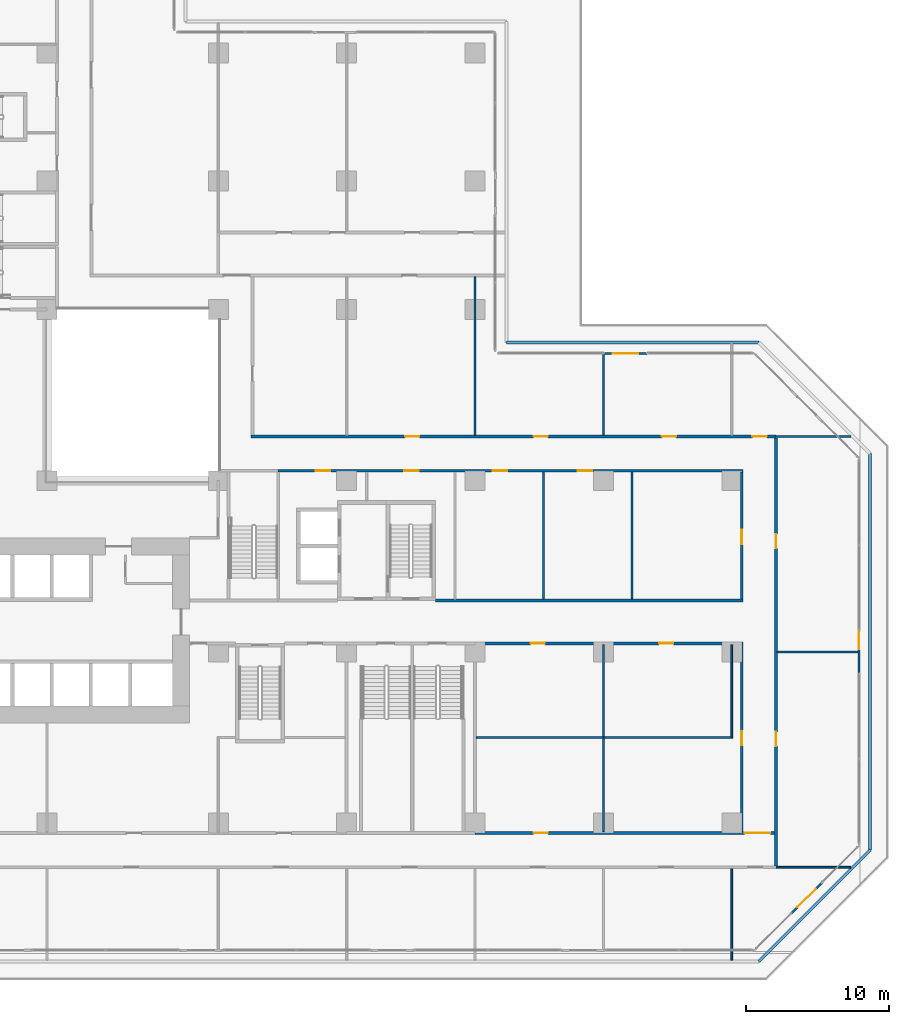
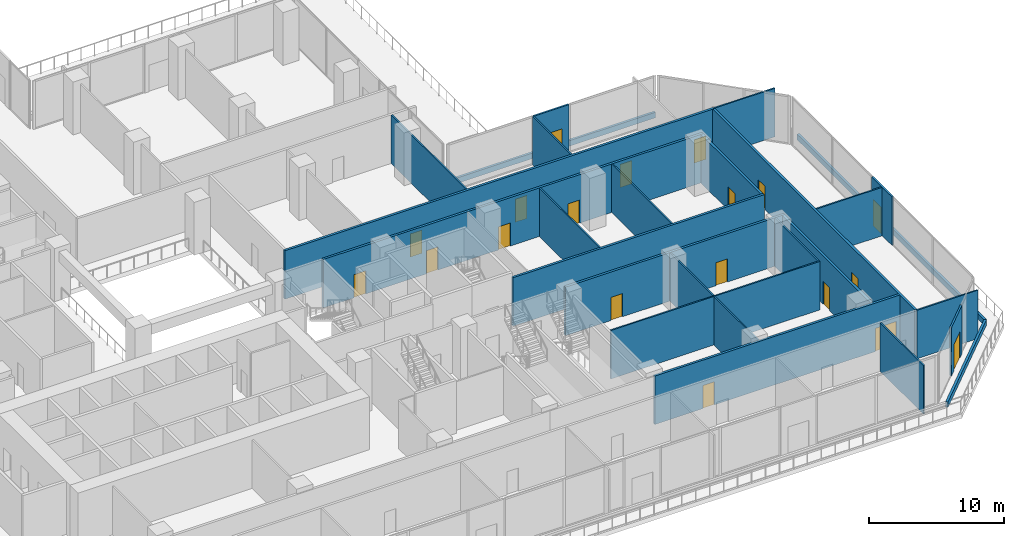
# One storey, part 17 of 26: 26 walls, 19 doors, 19 openings.
"""IFC4 building model written with IfcOpenShell, lengths in metres."""

from ifc_helpers import new_model, si_unit, direction, frame, frame_2d, origin, place, context, subcontext, project, spatial, rectangle, extrude, material, layer, layer_set, type_object, element, fill, save


model = new_model("IFC4")

# Units and contexts
model_context = context("Model", 3, precision=1e-05, world=origin(), true_north=direction((0.0, 1.0)))
body_context = subcontext(model_context, "Body", "Model", "MODEL_VIEW")
ifc_project = project(units=[si_unit("LENGTHUNIT", "METRE"), si_unit("AREAUNIT", "SQUARE_METRE"), si_unit("VOLUMEUNIT", "CUBIC_METRE"), si_unit("PLANEANGLEUNIT", "RADIAN"), si_unit("MASSUNIT", "GRAM", prefix="KILO")], contexts=[model_context])

# Site, building, storey
site_placement = place(None, origin())
site = spatial("IfcSite", under=ifc_project, at=site_placement, CompositionType="ELEMENT")
building_placement = place(site_placement, origin())
building = spatial("IfcBuilding", under=site, at=building_placement, Name="Chenar Terraces", CompositionType="ELEMENT")
storey_placement = place(building_placement, frame((0.0, 0.0, 16.800048828125)))
storey = spatial("IfcBuildingStorey", under=building, at=storey_placement, Name="L03", CompositionType="ELEMENT", Elevation=16.800048828125)

# Walls
ifc_material_1 = material(Name="Gypsum board on steel studs with mineral wool", Category="steel")
ifc_layer_1 = layer(ifc_material_1, 0.125)
ifc_layer_set_1 = layer_set([ifc_layer_1], Name="Gypsum board on steel studs with mineral wool")
wall_type_1 = type_object("IfcWallType", Name="Acoustic partition 125", PredefinedType="PARTITIONING", material=ifc_layer_set_1)
wall_1_placement = place(storey_placement, frame((54.0, 27.199951171875, 0.0), z_axis=(0.0, 0.0, 1.0), x_axis=(0.0, 1.0, 0.0)))
element("IfcWall", 1, at=wall_1_placement, inside=storey, type_object=wall_type_1, Name="Partition L03-105", PredefinedType="PARTITIONING", context=body_context, shape_type="SweptSolid", body=[
    extrude(rectangle(XDim=11.10009765625, YDim=0.125, at=frame_2d((5.550048828125, 0.0))), origin(), (0.0, 0.0, 1.0), 4.39990234375),
])
wall_2_placement = place(storey_placement, frame((54.10009765625, 6.0, 0.0), z_axis=(0.0, 0.0, 1.0), x_axis=(1.0, 0.0, 0.0)))
element("IfcWall", 2, at=wall_2_placement, inside=storey, type_object=wall_type_1, Name="Partition L03-106", PredefinedType="PARTITIONING", context=body_context, shape_type="SweptSolid", body=[
    extrude(rectangle(XDim=17.9619140625, YDim=0.125, at=frame_2d((8.98095703125, 0.0))), origin(), (0.0, 0.0, 1.0), 4.39990234375),
])
wall_3_placement = place(storey_placement, frame((58.800048828125, 15.699951171875, 0.0), z_axis=(0.0, 0.0, 1.0), x_axis=(0.0, 1.0, 0.0)))
element("IfcWall", 3, at=wall_3_placement, inside=storey, type_object=wall_type_1, Name="Partition L03-107", PredefinedType="PARTITIONING", context=body_context, shape_type="SweptSolid", body=[
    extrude(rectangle(XDim=8.900146484375, YDim=0.125, at=frame_2d((4.4501953125, 0.0))), origin(), (0.0, 0.0, 1.0), 4.39990234375),
])
wall_4_placement = place(storey_placement, frame((63.0, -0.60009765625, 0.0), z_axis=(0.0, 0.0, 1.0), x_axis=(0.0, 1.0, 0.0)))
element("IfcWall", 4, at=wall_4_placement, inside=storey, type_object=wall_type_1, Name="Partition L03-109", PredefinedType="PARTITIONING", context=body_context, shape_type="SweptSolid", body=[
    extrude(rectangle(XDim=6.5380859375, YDim=0.125, at=frame_2d((3.26904296875, 0.0))), origin(), (0.0, 0.0, 1.0), 4.39990234375),
])
wall_5_placement = place(storey_placement, frame((63.0, 6.06201171875, 0.0), z_axis=(0.0, 0.0, 1.0), x_axis=(0.0, 1.0, 0.0)))
element("IfcWall", 5, at=wall_5_placement, inside=storey, type_object=wall_type_1, Name="Partition L03-110", PredefinedType="PARTITIONING", context=body_context, shape_type="SweptSolid", body=[
    extrude(rectangle(XDim=6.43798828125, YDim=0.125, at=frame_2d((3.218994140625, 0.0))), origin(), (0.0, 0.0, 1.0), 4.39990234375),
])
wall_6_placement = place(storey_placement, frame((63.0, 27.199951171875, 0.0), z_axis=(0.0, 0.0, 1.0), x_axis=(0.0, 1.0, 0.0)))
element("IfcWall", 6, at=wall_6_placement, inside=storey, type_object=wall_type_1, Name="Partition L03-111", PredefinedType="PARTITIONING", context=body_context, shape_type="SweptSolid", body=[
    extrude(rectangle(XDim=5.72509765625, YDim=0.125, at=frame_2d((2.862548828125, 0.0))), origin(), (0.0, 0.0, 1.0), 4.39990234375),
])
wall_7_placement = place(storey_placement, frame((65.0, 15.699951171875, 0.0), z_axis=(0.0, 0.0, 1.0), x_axis=(0.0, 1.0, 0.0)))
element("IfcWall", 7, at=wall_7_placement, inside=storey, type_object=wall_type_1, Name="Partition L03-112", PredefinedType="PARTITIONING", context=body_context, shape_type="SweptSolid", body=[
    extrude(rectangle(XDim=8.900146484375, YDim=0.125, at=frame_2d((4.4501953125, 0.0))), origin(), (0.0, 0.0, 1.0), 4.39990234375),
])
wall_8_placement = place(storey_placement, frame((72.0, -9.60009765625, 0.0), z_axis=(0.0, 0.0, 1.0), x_axis=(0.0, 1.0, 0.0)))
element("IfcWall", 8, at=wall_8_placement, inside=storey, type_object=wall_type_1, Name="Partition L03-113", PredefinedType="PARTITIONING", context=body_context, shape_type="SweptSolid", body=[
    extrude(rectangle(XDim=6.400146484375, YDim=0.125, at=frame_2d((3.2001953125, 0.0))), origin(), (0.0, 0.0, 1.0), 4.39990234375),
])
wall_9_placement = place(storey_placement, frame((72.0, 6.06201171875, 0.0), z_axis=(0.0, 0.0, 1.0), x_axis=(0.0, 1.0, 0.0)))
element("IfcWall", 9, at=wall_9_placement, inside=storey, type_object=wall_type_1, Name="Partition L03-114", PredefinedType="PARTITIONING", context=body_context, shape_type="SweptSolid", body=[
    extrude(rectangle(XDim=6.43798828125, YDim=0.125, at=frame_2d((3.218994140625, 0.0))), origin(), (0.0, 0.0, 1.0), 4.39990234375),
])
for number, where, z_axis, x_axis, name in (
    (10, (75.10009765625, -3.10009765625, 0.0), (0.0, 0.0, 1.0), (1.0, 0.0, 0.0), "Partition L03-118"),
    (11, (75.10009765625, 27.10009765625, 0.0), (0.0, 0.0, 1.0), (1.0, 0.0, 0.0), "Partition L03-120"),
):
    element("IfcWall", number, at=place(storey_placement, frame(where, z_axis=z_axis, x_axis=x_axis)), inside=storey, type_object=wall_type_1, Name=name, PredefinedType="PARTITIONING", context=body_context, shape_type="SweptSolid", body=[
        extrude(rectangle(XDim=5.2548828125, YDim=0.125, at=frame_2d((2.62744140625, 0.0))), origin(), (0.0, 0.0, 1.0), 4.39990234375),
    ])
wall_10_placement = place(storey_placement, frame((75.199951171875, 12.0, 0.0), z_axis=(0.0, 0.0, 1.0), x_axis=(1.0, 0.0, 0.0)))
element("IfcWall", 12, at=wall_10_placement, inside=storey, type_object=wall_type_1, Name="Partition L03-121", PredefinedType="PARTITIONING", context=body_context, shape_type="SweptSolid", body=[
    extrude(rectangle(XDim=5.651123046875, YDim=0.125, at=frame_2d((2.82568359375, 0.0))), origin(), (0.0, 0.0, 1.0), 4.39990234375),
])

# Wall, openings, doors
ifc_material_2 = material(Name="Gypsum board on steel studs with fire boards", Category="steel")
ifc_layer_2 = layer(ifc_material_2, 0.199951171875)
ifc_layer_set_2 = layer_set([ifc_layer_2], Name="Gypsum board on steel studs with fire boards")
wall_type_2 = type_object("IfcWallType", Name="Corridor wall 200", PredefinedType="PARTITIONING", material=ifc_layer_set_2)
wall_11_placement = place(storey_placement, frame((38.300048828125, 27.10009765625, 0.0), z_axis=(0.0, 0.0, 1.0), x_axis=(1.0, 0.0, 0.0)))
wall_11 = element("IfcWall", 13, at=wall_11_placement, inside=storey, type_object=wall_type_2, Name="Partition L03-084", PredefinedType="PARTITIONING", context=body_context, shape_type="SweptSolid", body=[
    extrude(rectangle(XDim=36.800048828125, YDim=0.199951171875, at=frame_2d((18.39990234375, 0.0))), origin(), (0.0, 0.0, 1.0), 4.39990234375),
])
opening_1_placement = place(wall_11_placement, frame((10.800048828125, 0.0, 0.0)))
opening_1 = element("IfcOpeningElement", 14, at=opening_1_placement, cuts=wall_11, Name="Opening DL03-27", PredefinedType="OPENING", context=body_context, shape_type="SweptSolid", body=[
    extrude(rectangle(XDim=1.0, YDim=2.10009765625, at=frame_2d((0.5, 1.050048828125))), frame((0.0, 0.10986328125, 0.0), z_axis=(0.0, -1.0, 0.0), x_axis=(1.0, 0.0, 0.0)), (0.0, 0.0, 1.0), 0.219970703125),
])
opening_2_placement = place(wall_11_placement, frame((19.800048828125, 0.0, 0.0)))
opening_2 = element("IfcOpeningElement", 15, at=opening_2_placement, cuts=wall_11, Name="Opening DL03-29", PredefinedType="OPENING", context=body_context, shape_type="SweptSolid", body=[
    extrude(rectangle(XDim=1.0, YDim=2.10009765625, at=frame_2d((0.5, 1.050048828125))), frame((0.0, 0.10986328125, 0.0), z_axis=(0.0, -1.0, 0.0), x_axis=(1.0, 0.0, 0.0)), (0.0, 0.0, 1.0), 0.219970703125),
])
opening_3_placement = place(wall_11_placement, frame((28.800048828125, 0.0, 0.0)))
opening_3 = element("IfcOpeningElement", 16, at=opening_3_placement, cuts=wall_11, Name="Opening DL03-30", PredefinedType="OPENING", context=body_context, shape_type="SweptSolid", body=[
    extrude(rectangle(XDim=1.0, YDim=2.10009765625, at=frame_2d((0.5, 1.050048828125))), frame((0.0, 0.10986328125, 0.0), z_axis=(0.0, -1.0, 0.0), x_axis=(1.0, 0.0, 0.0)), (0.0, 0.0, 1.0), 0.219970703125),
])
opening_4_placement = place(wall_11_placement, frame((35.14990234375, 0.0, 0.0)))
opening_4 = element("IfcOpeningElement", 17, at=opening_4_placement, cuts=wall_11, Name="Opening DL03-31", PredefinedType="OPENING", context=body_context, shape_type="SweptSolid", body=[
    extrude(rectangle(XDim=1.0, YDim=2.10009765625, at=frame_2d((0.5, 1.050048828125))), frame((0.0, 0.10986328125, 0.0), z_axis=(0.0, -1.0, 0.0), x_axis=(1.0, 0.0, 0.0)), (0.0, 0.0, 1.0), 0.219970703125),
])
ifc_material_3 = material(Name="Steel-framed fire-resisting door leaf", Category="steel")
door_type_1 = type_object("IfcDoorType", Name="Fire door FD60 1000 x 2100", OperationType="SINGLE_SWING_LEFT", PredefinedType="DOOR", material=ifc_material_3)
door_1_placement = place(opening_1_placement, origin())
door_1 = element("IfcDoor", 18, at=door_1_placement, inside=storey, type_object=door_type_1, Name="Door DL03-27", OperationType="SINGLE_SWING_RIGHT", OverallHeight=2.10009765625, OverallWidth=1.0, PredefinedType="DOOR", context=body_context, shape_type="SweptSolid", body=[
    extrude(rectangle(XDim=1.0, YDim=2.10009765625, at=frame_2d((0.5, 1.050048828125))), frame((0.0, 0.02490234375, 0.0), z_axis=(0.0, -1.0, 0.0), x_axis=(1.0, 0.0, 0.0)), (0.0, 0.0, 1.0), 0.050048828125),
])
fill(opening_1, door_1)
door_2_placement = place(opening_2_placement, origin())
door_2 = element("IfcDoor", 19, at=door_2_placement, inside=storey, type_object=door_type_1, Name="Door DL03-29", OperationType="SINGLE_SWING_RIGHT", OverallHeight=2.10009765625, OverallWidth=1.0, PredefinedType="DOOR", context=body_context, shape_type="SweptSolid", body=[
    extrude(rectangle(XDim=1.0, YDim=2.10009765625, at=frame_2d((0.5, 1.050048828125))), frame((0.0, 0.02490234375, 0.0), z_axis=(0.0, -1.0, 0.0), x_axis=(1.0, 0.0, 0.0)), (0.0, 0.0, 1.0), 0.050048828125),
])
fill(opening_2, door_2)
door_3_placement = place(opening_3_placement, origin())
door_3 = element("IfcDoor", 20, at=door_3_placement, inside=storey, type_object=door_type_1, Name="Door DL03-30", OperationType="SINGLE_SWING_RIGHT", OverallHeight=2.10009765625, OverallWidth=1.0, PredefinedType="DOOR", context=body_context, shape_type="SweptSolid", body=[
    extrude(rectangle(XDim=1.0, YDim=2.10009765625, at=frame_2d((0.5, 1.050048828125))), frame((0.0, 0.02490234375, 0.0), z_axis=(0.0, -1.0, 0.0), x_axis=(1.0, 0.0, 0.0)), (0.0, 0.0, 1.0), 0.050048828125),
])
fill(opening_3, door_3)
door_4_placement = place(opening_4_placement, origin())
door_4 = element("IfcDoor", 21, at=door_4_placement, inside=storey, type_object=door_type_1, Name="Door DL03-31", OperationType="SINGLE_SWING_LEFT", OverallHeight=2.10009765625, OverallWidth=1.0, PredefinedType="DOOR", context=body_context, shape_type="SweptSolid", body=[
    extrude(rectangle(XDim=1.0, YDim=2.10009765625, at=frame_2d((0.5, 1.050048828125))), frame((0.0, 0.02490234375, 0.0), z_axis=(0.0, -1.0, 0.0), x_axis=(1.0, 0.0, 0.0)), (0.0, 0.0, 1.0), 0.050048828125),
])
fill(opening_4, door_4)

wall_12_placement = place(storey_placement, frame((40.199951171875, 24.699951171875, 0.0), z_axis=(0.0, 0.0, 1.0), x_axis=(1.0, 0.0, 0.0)))
wall_12 = element("IfcWall", 22, at=wall_12_placement, inside=storey, type_object=wall_type_2, Name="Partition L03-088", PredefinedType="PARTITIONING", context=body_context, shape_type="SweptSolid", body=[
    extrude(rectangle(XDim=32.60009765625, YDim=0.199951171875, at=frame_2d((16.300048828125, 0.0))), origin(), (0.0, 0.0, 1.0), 4.39990234375),
])
opening_5_placement = place(wall_12_placement, frame((2.64990234375, 0.0, 0.0)))
opening_5 = element("IfcOpeningElement", 23, at=opening_5_placement, cuts=wall_12, Name="Opening DL03-4", PredefinedType="OPENING", context=body_context, shape_type="SweptSolid", body=[
    extrude(rectangle(XDim=1.0, YDim=2.10009765625, at=frame_2d((0.5, 1.050048828125))), frame((0.0, 0.10986328125, 0.0), z_axis=(0.0, -1.0, 0.0), x_axis=(1.0, 0.0, 0.0)), (0.0, 0.0, 1.0), 0.219970703125),
])
opening_6_placement = place(wall_12_placement, frame((8.85009765625, 0.0, 0.0)))
opening_6 = element("IfcOpeningElement", 24, at=opening_6_placement, cuts=wall_12, Name="Opening DL03-5", PredefinedType="OPENING", context=body_context, shape_type="SweptSolid", body=[
    extrude(rectangle(XDim=1.0, YDim=2.10009765625, at=frame_2d((0.5, 1.050048828125))), frame((0.0, 0.10986328125, 0.0), z_axis=(0.0, -1.0, 0.0), x_axis=(1.0, 0.0, 0.0)), (0.0, 0.0, 1.0), 0.219970703125),
])
opening_7_placement = place(wall_12_placement, frame((15.050048828125, 0.0, 0.0)))
opening_7 = element("IfcOpeningElement", 25, at=opening_7_placement, cuts=wall_12, Name="Opening DL03-6", PredefinedType="OPENING", context=body_context, shape_type="SweptSolid", body=[
    extrude(rectangle(XDim=1.0, YDim=2.10009765625, at=frame_2d((0.5, 1.050048828125))), frame((0.0, 0.10986328125, 0.0), z_axis=(0.0, -1.0, 0.0), x_axis=(1.0, 0.0, 0.0)), (0.0, 0.0, 1.0), 0.219970703125),
])
opening_8_placement = place(wall_12_placement, frame((21.0, 0.0, 0.0)))
opening_8 = element("IfcOpeningElement", 26, at=opening_8_placement, cuts=wall_12, Name="Opening DL03-7", PredefinedType="OPENING", context=body_context, shape_type="SweptSolid", body=[
    extrude(rectangle(XDim=1.0, YDim=2.10009765625, at=frame_2d((0.5, 1.050048828125))), frame((0.0, 0.10986328125, 0.0), z_axis=(0.0, -1.0, 0.0), x_axis=(1.0, 0.0, 0.0)), (0.0, 0.0, 1.0), 0.219970703125),
])
door_5_placement = place(opening_5_placement, frame((1.0, 0.0, 0.0), z_axis=(0.0, 0.0, 1.0), x_axis=(-1.0, 0.0, 0.0)))
door_5 = element("IfcDoor", 27, at=door_5_placement, inside=storey, type_object=door_type_1, Name="Door DL03-4", OperationType="SINGLE_SWING_LEFT", OverallHeight=2.10009765625, OverallWidth=1.0, PredefinedType="DOOR", context=body_context, shape_type="SweptSolid", body=[
    extrude(rectangle(XDim=1.0, YDim=2.10009765625, at=frame_2d((0.5, 1.050048828125))), frame((0.0, 0.02490234375, 0.0), z_axis=(0.0, -1.0, 0.0), x_axis=(1.0, 0.0, 0.0)), (0.0, 0.0, 1.0), 0.050048828125),
])
fill(opening_5, door_5)
door_6_placement = place(opening_6_placement, frame((1.0, 0.0, 0.0), z_axis=(0.0, 0.0, 1.0), x_axis=(-1.0, 0.0, 0.0)))
door_6 = element("IfcDoor", 28, at=door_6_placement, inside=storey, type_object=door_type_1, Name="Door DL03-5", OperationType="SINGLE_SWING_LEFT", OverallHeight=2.10009765625, OverallWidth=1.0, PredefinedType="DOOR", context=body_context, shape_type="SweptSolid", body=[
    extrude(rectangle(XDim=1.0, YDim=2.10009765625, at=frame_2d((0.5, 1.050048828125))), frame((0.0, 0.02490234375, 0.0), z_axis=(0.0, -1.0, 0.0), x_axis=(1.0, 0.0, 0.0)), (0.0, 0.0, 1.0), 0.050048828125),
])
fill(opening_6, door_6)
door_7_placement = place(opening_7_placement, frame((1.0, 0.0, 0.0), z_axis=(0.0, 0.0, 1.0), x_axis=(-1.0, 0.0, 0.0)))
door_7 = element("IfcDoor", 29, at=door_7_placement, inside=storey, type_object=door_type_1, Name="Door DL03-6", OperationType="SINGLE_SWING_RIGHT", OverallHeight=2.10009765625, OverallWidth=1.0, PredefinedType="DOOR", context=body_context, shape_type="SweptSolid", body=[
    extrude(rectangle(XDim=1.0, YDim=2.10009765625, at=frame_2d((0.5, 1.050048828125))), frame((0.0, 0.02490234375, 0.0), z_axis=(0.0, -1.0, 0.0), x_axis=(1.0, 0.0, 0.0)), (0.0, 0.0, 1.0), 0.050048828125),
])
fill(opening_7, door_7)
door_8_placement = place(opening_8_placement, frame((1.0, 0.0, 0.0), z_axis=(0.0, 0.0, 1.0), x_axis=(-1.0, 0.0, 0.0)))
door_8 = element("IfcDoor", 30, at=door_8_placement, inside=storey, type_object=door_type_1, Name="Door DL03-7", OperationType="SINGLE_SWING_LEFT", OverallHeight=2.10009765625, OverallWidth=1.0, PredefinedType="DOOR", context=body_context, shape_type="SweptSolid", body=[
    extrude(rectangle(XDim=1.0, YDim=2.10009765625, at=frame_2d((0.5, 1.050048828125))), frame((0.0, 0.02490234375, 0.0), z_axis=(0.0, -1.0, 0.0), x_axis=(1.0, 0.0, 0.0)), (0.0, 0.0, 1.0), 0.050048828125),
])
fill(opening_8, door_8)

# Wall
wall_13_placement = place(storey_placement, frame((51.22509765625, 15.60009765625, 0.0), z_axis=(0.0, 0.0, 1.0), x_axis=(1.0, 0.0, 0.0)))
element("IfcWall", 31, at=wall_13_placement, inside=storey, type_object=wall_type_2, Name="Partition L03-099", PredefinedType="PARTITIONING", context=body_context, shape_type="SweptSolid", body=[
    extrude(rectangle(XDim=21.574951171875, YDim=0.199951171875, at=frame_2d((10.78759765625, 0.0))), origin(), (0.0, 0.0, 1.0), 4.39990234375),
])

# Wall, openings, doors
wall_14_placement = place(storey_placement, frame((54.0, -0.699951171875, 0.0), z_axis=(0.0, 0.0, 1.0), x_axis=(1.0, 0.0, 0.0)))
wall_14 = element("IfcWall", 32, at=wall_14_placement, inside=storey, type_object=wall_type_2, Name="Partition L03-102", PredefinedType="PARTITIONING", context=body_context, shape_type="SweptSolid", body=[
    extrude(rectangle(XDim=21.0, YDim=0.199951171875, at=frame_2d((10.5, 0.0))), origin(), (0.0, 0.0, 1.0), 4.39990234375),
])
opening_9_placement = place(wall_14_placement, frame((4.10009765625, 0.0, 0.0)))
opening_9 = element("IfcOpeningElement", 33, at=opening_9_placement, cuts=wall_14, Name="Opening DL03-10", PredefinedType="OPENING", context=body_context, shape_type="SweptSolid", body=[
    extrude(rectangle(XDim=1.0, YDim=2.10009765625, at=frame_2d((0.5, 1.050048828125))), frame((0.0, 0.10986328125, 0.0), z_axis=(0.0, -1.0, 0.0), x_axis=(1.0, 0.0, 0.0)), (0.0, 0.0, 1.0), 0.219970703125),
])
opening_10_placement = place(wall_14_placement, frame((18.89990234375, 0.0, 0.0)))
opening_10 = element("IfcOpeningElement", 34, at=opening_10_placement, cuts=wall_14, Name="Opening DL03-36", PredefinedType="OPENING", context=body_context, shape_type="SweptSolid", body=[
    extrude(rectangle(XDim=1.800048828125, YDim=2.10009765625, at=frame_2d((0.89990234375, 1.050048828125))), frame((0.0, 0.10986328125, 0.0), z_axis=(0.0, -1.0, 0.0), x_axis=(1.0, 0.0, 0.0)), (0.0, 0.0, 1.0), 0.219970703125),
])
door_9_placement = place(opening_9_placement, origin())
door_9 = element("IfcDoor", 35, at=door_9_placement, inside=storey, type_object=door_type_1, Name="Door DL03-10", OperationType="SINGLE_SWING_LEFT", OverallHeight=2.10009765625, OverallWidth=1.0, PredefinedType="DOOR", context=body_context, shape_type="SweptSolid", body=[
    extrude(rectangle(XDim=1.0, YDim=2.10009765625, at=frame_2d((0.5, 1.050048828125))), frame((0.0, 0.02490234375, 0.0), z_axis=(0.0, -1.0, 0.0), x_axis=(1.0, 0.0, 0.0)), (0.0, 0.0, 1.0), 0.050048828125),
])
fill(opening_9, door_9)
ifc_material_4 = material(Name="Steel-framed fire-resisting door leaf", Category="steel")
door_type_2 = type_object("IfcDoorType", Name="Fire double door FD60 1800 x 2100", OperationType="DOUBLE_DOOR_SINGLE_SWING", PredefinedType="DOOR", material=ifc_material_4)
door_10_placement = place(opening_10_placement, frame((1.800048828125, 0.0, 0.0), z_axis=(0.0, 0.0, 1.0), x_axis=(-1.0, 0.0, 0.0)))
door_10 = element("IfcDoor", 36, at=door_10_placement, inside=storey, type_object=door_type_2, Name="Door DL03-36", OperationType="DOUBLE_DOOR_SINGLE_SWING", OverallHeight=2.10009765625, OverallWidth=1.800048828125, PredefinedType="DOOR", context=body_context, shape_type="SweptSolid", body=[
    extrude(rectangle(XDim=1.800048828125, YDim=2.10009765625, at=frame_2d((0.89990234375, 1.050048828125))), frame((0.0, 0.02490234375, 0.0), z_axis=(0.0, -1.0, 0.0), x_axis=(1.0, 0.0, 0.0)), (0.0, 0.0, 1.0), 0.050048828125),
])
fill(opening_10, door_10)

wall_15_placement = place(storey_placement, frame((54.0, 12.60009765625, 0.0), z_axis=(0.0, 0.0, 1.0), x_axis=(1.0, 0.0, 0.0)))
wall_15 = element("IfcWall", 37, at=wall_15_placement, inside=storey, type_object=wall_type_2, Name="Partition L03-104", PredefinedType="PARTITIONING", context=body_context, shape_type="SweptSolid", body=[
    extrude(rectangle(XDim=18.800048828125, YDim=0.199951171875, at=frame_2d((9.39990234375, 0.0))), origin(), (0.0, 0.0, 1.0), 4.39990234375),
])
opening_11_placement = place(wall_15_placement, frame((3.89990234375, 0.0, 0.0)))
opening_11 = element("IfcOpeningElement", 38, at=opening_11_placement, cuts=wall_15, Name="Opening DL03-2", PredefinedType="OPENING", context=body_context, shape_type="SweptSolid", body=[
    extrude(rectangle(XDim=1.0, YDim=2.10009765625, at=frame_2d((0.5, 1.050048828125))), frame((0.0, 0.10986328125, 0.0), z_axis=(0.0, -1.0, 0.0), x_axis=(1.0, 0.0, 0.0)), (0.0, 0.0, 1.0), 0.219970703125),
])
opening_12_placement = place(wall_15_placement, frame((12.89990234375, 0.0, 0.0)))
opening_12 = element("IfcOpeningElement", 39, at=opening_12_placement, cuts=wall_15, Name="Opening DL03-3", PredefinedType="OPENING", context=body_context, shape_type="SweptSolid", body=[
    extrude(rectangle(XDim=1.0, YDim=2.10009765625, at=frame_2d((0.5, 1.050048828125))), frame((0.0, 0.10986328125, 0.0), z_axis=(0.0, -1.0, 0.0), x_axis=(1.0, 0.0, 0.0)), (0.0, 0.0, 1.0), 0.219970703125),
])
door_11_placement = place(opening_11_placement, frame((1.0, 0.0, 0.0), z_axis=(0.0, 0.0, 1.0), x_axis=(-1.0, 0.0, 0.0)))
door_11 = element("IfcDoor", 40, at=door_11_placement, inside=storey, type_object=door_type_1, Name="Door DL03-2", OperationType="SINGLE_SWING_RIGHT", OverallHeight=2.10009765625, OverallWidth=1.0, PredefinedType="DOOR", context=body_context, shape_type="SweptSolid", body=[
    extrude(rectangle(XDim=1.0, YDim=2.10009765625, at=frame_2d((0.5, 1.050048828125))), frame((0.0, 0.02490234375, 0.0), z_axis=(0.0, -1.0, 0.0), x_axis=(1.0, 0.0, 0.0)), (0.0, 0.0, 1.0), 0.050048828125),
])
fill(opening_11, door_11)
door_12_placement = place(opening_12_placement, frame((1.0, 0.0, 0.0), z_axis=(0.0, 0.0, 1.0), x_axis=(-1.0, 0.0, 0.0)))
door_12 = element("IfcDoor", 41, at=door_12_placement, inside=storey, type_object=door_type_1, Name="Door DL03-3", OperationType="SINGLE_SWING_RIGHT", OverallHeight=2.10009765625, OverallWidth=1.0, PredefinedType="DOOR", context=body_context, shape_type="SweptSolid", body=[
    extrude(rectangle(XDim=1.0, YDim=2.10009765625, at=frame_2d((0.5, 1.050048828125))), frame((0.0, 0.02490234375, 0.0), z_axis=(0.0, -1.0, 0.0), x_axis=(1.0, 0.0, 0.0)), (0.0, 0.0, 1.0), 0.050048828125),
])
fill(opening_12, door_12)

# Wall, opening, door
wall_16_placement = place(storey_placement, frame((72.699951171875, -0.60009765625, 0.0), z_axis=(0.0, 0.0, 1.0), x_axis=(0.0, 1.0, 0.0)))
wall_16 = element("IfcWall", 42, at=wall_16_placement, inside=storey, type_object=wall_type_2, Name="Partition L03-116", PredefinedType="PARTITIONING", context=body_context, shape_type="SweptSolid", body=[
    extrude(rectangle(XDim=13.10009765625, YDim=0.199951171875, at=frame_2d((6.550048828125, 0.0))), origin(), (0.0, 0.0, 1.0), 4.39990234375),
])
opening_13_placement = place(wall_16_placement, frame((6.050048828125, 0.0, 0.0)))
opening_13 = element("IfcOpeningElement", 43, at=opening_13_placement, cuts=wall_16, Name="Opening DL03-11", PredefinedType="OPENING", context=body_context, shape_type="SweptSolid", body=[
    extrude(rectangle(XDim=1.0, YDim=2.10009765625, at=frame_2d((0.5, 1.050048828125))), frame((0.0, 0.10986328125, 0.0), z_axis=(0.0, -1.0, 0.0), x_axis=(1.0, 0.0, 0.0)), (0.0, 0.0, 1.0), 0.219970703125),
])
door_13_placement = place(opening_13_placement, frame((1.0, 0.0, 0.0), z_axis=(0.0, 0.0, 1.0), x_axis=(-1.0, 0.0, 0.0)))
door_13 = element("IfcDoor", 44, at=door_13_placement, inside=storey, type_object=door_type_1, Name="Door DL03-11", OperationType="SINGLE_SWING_LEFT", OverallHeight=2.10009765625, OverallWidth=1.0, PredefinedType="DOOR", context=body_context, shape_type="SweptSolid", body=[
    extrude(rectangle(XDim=1.0, YDim=2.10009765625, at=frame_2d((0.5, 1.050048828125))), frame((0.0, 0.02490234375, 0.0), z_axis=(0.0, -1.0, 0.0), x_axis=(1.0, 0.0, 0.0)), (0.0, 0.0, 1.0), 0.050048828125),
])
fill(opening_13, door_13)

wall_17_placement = place(storey_placement, frame((72.699951171875, 15.699951171875, 0.0), z_axis=(0.0, 0.0, 1.0), x_axis=(0.0, 1.0, 0.0)))
wall_17 = element("IfcWall", 45, at=wall_17_placement, inside=storey, type_object=wall_type_2, Name="Partition L03-117", PredefinedType="PARTITIONING", context=body_context, shape_type="SweptSolid", body=[
    extrude(rectangle(XDim=8.900146484375, YDim=0.199951171875, at=frame_2d((4.4501953125, 0.0))), origin(), (0.0, 0.0, 1.0), 4.39990234375),
])
opening_14_placement = place(wall_17_placement, frame((3.85009765625, 0.0, 0.0)))
opening_14 = element("IfcOpeningElement", 46, at=opening_14_placement, cuts=wall_17, Name="Opening DL03-8", PredefinedType="OPENING", context=body_context, shape_type="SweptSolid", body=[
    extrude(rectangle(XDim=1.0, YDim=2.10009765625, at=frame_2d((0.5, 1.050048828125))), frame((0.0, 0.10986328125, 0.0), z_axis=(0.0, -1.0, 0.0), x_axis=(1.0, 0.0, 0.0)), (0.0, 0.0, 1.0), 0.219970703125),
])
door_14_placement = place(opening_14_placement, origin())
door_14 = element("IfcDoor", 47, at=door_14_placement, inside=storey, type_object=door_type_1, Name="Door DL03-8", OperationType="SINGLE_SWING_RIGHT", OverallHeight=2.10009765625, OverallWidth=1.0, PredefinedType="DOOR", context=body_context, shape_type="SweptSolid", body=[
    extrude(rectangle(XDim=1.0, YDim=2.10009765625, at=frame_2d((0.5, 1.050048828125))), frame((0.0, 0.02490234375, 0.0), z_axis=(0.0, -1.0, 0.0), x_axis=(1.0, 0.0, 0.0)), (0.0, 0.0, 1.0), 0.050048828125),
])
fill(opening_14, door_14)

# Wall, openings, doors
wall_18_placement = place(storey_placement, frame((75.10009765625, -3.0, 0.0), z_axis=(0.0, 0.0, 1.0), x_axis=(0.0, 1.0, 0.0)))
wall_18 = element("IfcWall", 48, at=wall_18_placement, inside=storey, type_object=wall_type_2, Name="Partition L03-119", PredefinedType="PARTITIONING", context=body_context, shape_type="SweptSolid", body=[
    extrude(rectangle(XDim=30.0, YDim=0.199951171875, at=frame_2d((15.0, 0.0))), origin(), (0.0, 0.0, 1.0), 4.39990234375),
])
opening_15_placement = place(wall_18_placement, frame((8.39990234375, 0.0, 0.0)))
opening_15 = element("IfcOpeningElement", 49, at=opening_15_placement, cuts=wall_18, Name="Opening DL03-45", PredefinedType="OPENING", context=body_context, shape_type="SweptSolid", body=[
    extrude(rectangle(XDim=1.0, YDim=2.10009765625, at=frame_2d((0.5, 1.050048828125))), frame((0.0, 0.10986328125, 0.0), z_axis=(0.0, -1.0, 0.0), x_axis=(1.0, 0.0, 0.0)), (0.0, 0.0, 1.0), 0.219970703125),
])
opening_16_placement = place(wall_18_placement, frame((22.25, 0.0, 0.0)))
opening_16 = element("IfcOpeningElement", 50, at=opening_16_placement, cuts=wall_18, Name="Opening DL03-46", PredefinedType="OPENING", context=body_context, shape_type="SweptSolid", body=[
    extrude(rectangle(XDim=1.0, YDim=2.10009765625, at=frame_2d((0.5, 1.050048828125))), frame((0.0, 0.10986328125, 0.0), z_axis=(0.0, -1.0, 0.0), x_axis=(1.0, 0.0, 0.0)), (0.0, 0.0, 1.0), 0.219970703125),
])
door_15_placement = place(opening_15_placement, frame((1.0, 0.0, 0.0), z_axis=(0.0, 0.0, 1.0), x_axis=(-1.0, 0.0, 0.0)))
door_15 = element("IfcDoor", 51, at=door_15_placement, inside=storey, type_object=door_type_1, Name="Door DL03-45", OperationType="SINGLE_SWING_LEFT", OverallHeight=2.10009765625, OverallWidth=1.0, PredefinedType="DOOR", context=body_context, shape_type="SweptSolid", body=[
    extrude(rectangle(XDim=1.0, YDim=2.10009765625, at=frame_2d((0.5, 1.050048828125))), frame((0.0, 0.02490234375, 0.0), z_axis=(0.0, -1.0, 0.0), x_axis=(1.0, 0.0, 0.0)), (0.0, 0.0, 1.0), 0.050048828125),
])
fill(opening_15, door_15)
door_16_placement = place(opening_16_placement, frame((1.0, 0.0, 0.0), z_axis=(0.0, 0.0, 1.0), x_axis=(-1.0, 0.0, 0.0)))
door_16 = element("IfcDoor", 52, at=door_16_placement, inside=storey, type_object=door_type_1, Name="Door DL03-46", OperationType="SINGLE_SWING_LEFT", OverallHeight=2.10009765625, OverallWidth=1.0, PredefinedType="DOOR", context=body_context, shape_type="SweptSolid", body=[
    extrude(rectangle(XDim=1.0, YDim=2.10009765625, at=frame_2d((0.5, 1.050048828125))), frame((0.0, 0.02490234375, 0.0), z_axis=(0.0, -1.0, 0.0), x_axis=(1.0, 0.0, 0.0)), (0.0, 0.0, 1.0), 0.050048828125),
])
fill(opening_16, door_16)

# Wall, opening, door
ifc_material_5 = material(Name="Aluminium framed glazing", Category="aluminium")
ifc_layer_3 = layer(ifc_material_5, 0.14990234375)
ifc_layer_set_3 = layer_set([ifc_layer_3], Name="Aluminium framed glazing")
wall_type_3 = type_object("IfcWallType", Name="Podium glazed wall 150", PredefinedType="SOLIDWALL", material=ifc_layer_set_3)
wall_19_placement = place(storey_placement, frame((76.189697265625, -6.31103515625, 0.0), z_axis=(0.0, 0.0, 1.0), x_axis=(0.707106781187, 0.707106781187, 0.0)))
wall_19 = element("IfcWall", 53, at=wall_19_placement, inside=storey, type_object=wall_type_3, Name="Podium glazed wall", PredefinedType="SOLIDWALL", context=body_context, shape_type="SweptSolid", body=[
    extrude(rectangle(XDim=3.0, YDim=0.14990234375, at=frame_2d((1.5, 0.0))), origin(), (0.0, 0.0, 1.0), 4.39990234375),
])
opening_17_placement = place(wall_19_placement, frame((0.60009765625, 0.0, 0.0)))
opening_17 = element("IfcOpeningElement", 54, at=opening_17_placement, cuts=wall_19, Name="Opening DL03-T1", PredefinedType="OPENING", context=body_context, shape_type="SweptSolid", body=[
    extrude(rectangle(XDim=1.800048828125, YDim=2.39990234375, at=frame_2d((0.89990234375, 1.199951171875))), frame((0.0, 0.0849609375, 0.0), z_axis=(0.0, -1.0, 0.0), x_axis=(1.0, 0.0, 0.0)), (0.0, 0.0, 1.0), 0.169921875),
])
ifc_material_6 = material(Name="Low emissivity double glazing, aluminium frame", Category="aluminium")
door_type_3 = type_object("IfcDoorType", Name="Terrace glazed double door 1800 x 2400", OperationType="DOUBLE_DOOR_SINGLE_SWING", PredefinedType="DOOR", material=ifc_material_6)
door_17_placement = place(opening_17_placement, origin())
door_17 = element("IfcDoor", 55, at=door_17_placement, inside=storey, type_object=door_type_3, Name="Terrace glazed door", OperationType="DOUBLE_DOOR_SINGLE_SWING", OverallHeight=2.39990234375, OverallWidth=1.800048828125, PredefinedType="DOOR", context=body_context, shape_type="SweptSolid", body=[
    extrude(rectangle(XDim=1.800048828125, YDim=2.39990234375, at=frame_2d((0.89990234375, 1.199951171875))), frame((0.0, 0.02490234375, 0.0), z_axis=(0.0, -1.0, 0.0), x_axis=(1.0, 0.0, 0.0)), (0.0, 0.0, 1.0), 0.050048828125),
])
fill(opening_17, door_17)

wall_20_placement = place(storey_placement, frame((80.925048828125, 10.5, 0.0), z_axis=(0.0, 0.0, 1.0), x_axis=(0.0, 1.0, 0.0)))
wall_20 = element("IfcWall", 56, at=wall_20_placement, inside=storey, type_object=wall_type_3, Name="Podium glazed wall", PredefinedType="SOLIDWALL", context=body_context, shape_type="SweptSolid", body=[
    extrude(rectangle(XDim=3.0, YDim=0.14990234375, at=frame_2d((1.5, 0.0))), origin(), (0.0, 0.0, 1.0), 4.39990234375),
])
opening_18_placement = place(wall_20_placement, frame((1.699951171875, 0.0, 0.0)))
opening_18 = element("IfcOpeningElement", 57, at=opening_18_placement, cuts=wall_20, Name="Opening DL03-T1N", PredefinedType="OPENING", context=body_context, shape_type="SweptSolid", body=[
    extrude(rectangle(XDim=1.199951171875, YDim=2.39990234375, at=frame_2d((0.60009765625, 1.199951171875))), frame((0.0, 0.0849609375, 0.0), z_axis=(0.0, -1.0, 0.0), x_axis=(1.0, 0.0, 0.0)), (0.0, 0.0, 1.0), 0.169921875),
])
ifc_material_7 = material(Name="Low emissivity double glazing, aluminium frame", Category="aluminium")
door_type_4 = type_object("IfcDoorType", Name="Terrace glazed door 1200 x 2400", OperationType="SINGLE_SWING_LEFT", PredefinedType="DOOR", material=ifc_material_7)
door_18_placement = place(opening_18_placement, frame((1.199951171875, 0.0, 0.0), z_axis=(0.0, 0.0, 1.0), x_axis=(-1.0, 0.0, 0.0)))
door_18 = element("IfcDoor", 58, at=door_18_placement, inside=storey, type_object=door_type_4, Name="Terrace glazed door", OperationType="DOUBLE_DOOR_SINGLE_SWING", OverallHeight=2.39990234375, OverallWidth=1.199951171875, PredefinedType="DOOR", context=body_context, shape_type="SweptSolid", body=[
    extrude(rectangle(XDim=1.199951171875, YDim=2.39990234375, at=frame_2d((0.60009765625, 1.199951171875))), frame((0.0, 0.02490234375, 0.0), z_axis=(0.0, -1.0, 0.0), x_axis=(1.0, 0.0, 0.0)), (0.0, 0.0, 1.0), 0.050048828125),
])
fill(opening_18, door_18)

wall_21_placement = place(storey_placement, frame((66.05322265625, 32.925048828125, 0.0), z_axis=(0.0, 0.0, 1.0), x_axis=(-1.0, 0.0, 0.0)))
wall_21 = element("IfcWall", 59, at=wall_21_placement, inside=storey, type_object=wall_type_3, Name="Podium glazed wall", PredefinedType="SOLIDWALL", context=body_context, shape_type="SweptSolid", body=[
    extrude(rectangle(XDim=3.0, YDim=0.14990234375, at=frame_2d((1.5, 0.0))), origin(), (0.0, 0.0, 1.0), 4.39990234375),
])
opening_19_placement = place(wall_21_placement, frame((0.60009765625, 0.0, 0.0)))
opening_19 = element("IfcOpeningElement", 60, at=opening_19_placement, cuts=wall_21, Name="Opening DL03-T1", PredefinedType="OPENING", context=body_context, shape_type="SweptSolid", body=[
    extrude(rectangle(XDim=1.800048828125, YDim=2.39990234375, at=frame_2d((0.89990234375, 1.199951171875))), frame((0.0, 0.0849609375, 0.0), z_axis=(0.0, -1.0, 0.0), x_axis=(1.0, 0.0, 0.0)), (0.0, 0.0, 1.0), 0.169921875),
])
door_19_placement = place(opening_19_placement, origin())
door_19 = element("IfcDoor", 61, at=door_19_placement, inside=storey, type_object=door_type_3, Name="Terrace glazed door", OperationType="DOUBLE_DOOR_SINGLE_SWING", OverallHeight=2.39990234375, OverallWidth=1.800048828125, PredefinedType="DOOR", context=body_context, shape_type="SweptSolid", body=[
    extrude(rectangle(XDim=1.800048828125, YDim=2.39990234375, at=frame_2d((0.89990234375, 1.199951171875))), frame((0.0, 0.02490234375, 0.0), z_axis=(0.0, -1.0, 0.0), x_axis=(1.0, 0.0, 0.0)), (0.0, 0.0, 1.0), 0.050048828125),
])
fill(opening_19, door_19)

# Walls
ifc_material_8 = material(Name="Terracotta cladding on insulated backing", Category="masonry")
ifc_layer_4 = layer(ifc_material_8, 0.199951171875)
ifc_layer_set_4 = layer_set([ifc_layer_4], Name="Terracotta cladding on insulated backing")
wall_type_4 = type_object("IfcWallType", Name="Terrace parapet upstand 200", PredefinedType="PARAPET", material=ifc_layer_set_4)
wall_22_placement = place(storey_placement, frame((56.199951171875, 33.699951171875, 0.0), z_axis=(0.0, 0.0, 1.0), x_axis=(1.0, 0.0, 0.0)))
element("IfcWall", 62, at=wall_22_placement, inside=storey, type_object=wall_type_4, Name="Terrace parapet", PredefinedType="PARAPET", context=body_context, shape_type="SweptSolid", body=[
    extrude(rectangle(XDim=17.696533203125, YDim=0.199951171875, at=frame_2d((8.84814453125, 0.0))), origin(), (0.0, 0.0, 1.0), 0.5),
])
wall_23_placement = place(storey_placement, frame((81.699951171875, 25.896484375, 0.0), z_axis=(0.0, 0.0, 1.0), x_axis=(0.0, -1.0, 0.0)))
element("IfcWall", 63, at=wall_23_placement, inside=storey, type_object=wall_type_4, Name="Terrace parapet", PredefinedType="PARAPET", context=body_context, shape_type="SweptSolid", body=[
    extrude(rectangle(XDim=27.79296875, YDim=0.199951171875, at=frame_2d((13.896484375, 0.0))), origin(), (0.0, 0.0, 1.0), 0.5),
])
wall_24_placement = place(storey_placement, frame((81.699951171875, -1.896484375, 0.0), z_axis=(0.0, 0.0, 1.0), x_axis=(-0.707106781187, -0.707106781187, 0.0)))
element("IfcWall", 64, at=wall_24_placement, inside=storey, type_object=wall_type_4, Name="Terrace parapet", PredefinedType="PARAPET", context=body_context, shape_type="SweptSolid", body=[
    extrude(rectangle(XDim=11.035888671875, YDim=0.199951171875, at=frame_2d((5.51806640625, 0.0))), origin(), (0.0, 0.0, 1.0), 0.5),
])

save(model, "model.ifc")
